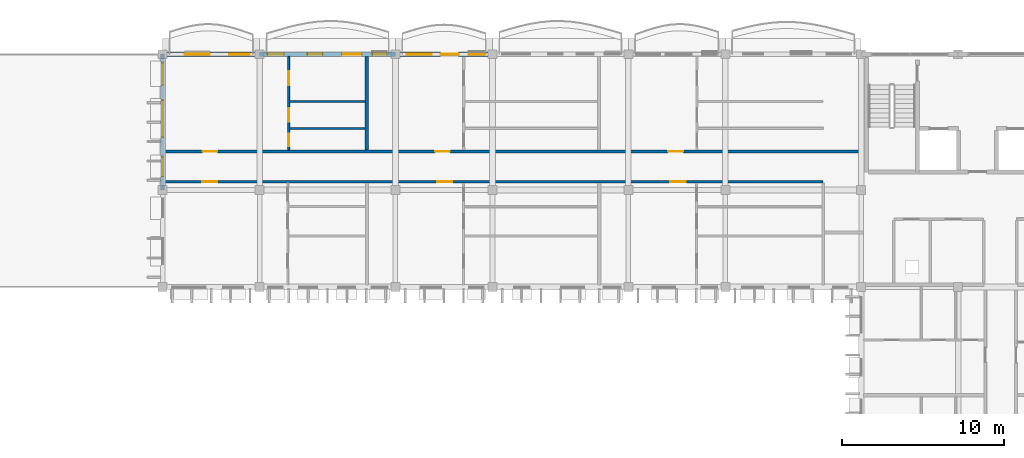
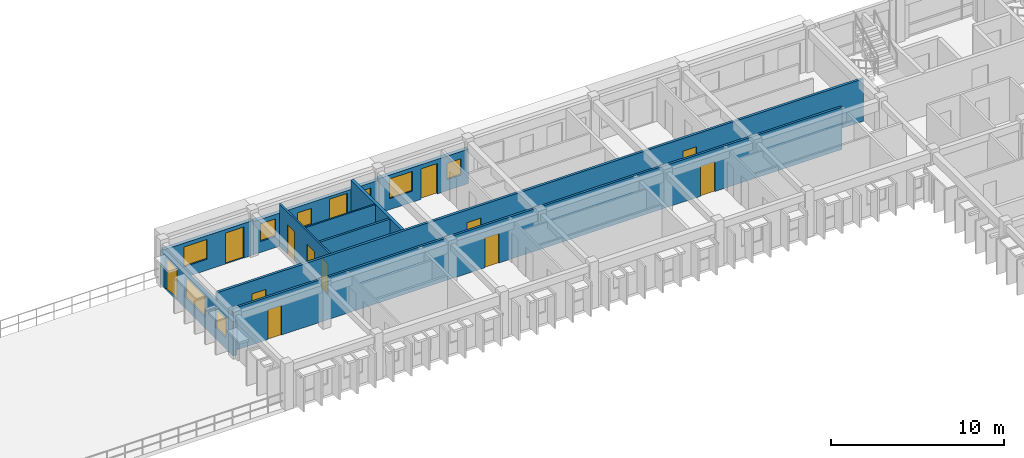
# One storey, part 22 of 45: 13 doors, 10 walls, 8 windows, 21 openings.
"""IFC4 building model written with IfcOpenShell, lengths in metres."""

from ifc_helpers import new_model, si_unit, direction, frame, frame_2d, origin, place, context, subcontext, project, spatial, rectangle, extrude, material, layer, layer_set, type_object, element, fill, save


model = new_model("IFC4")

# Units and contexts
model_context = context("Model", 3, precision=1e-05, world=origin(), true_north=direction((0.0, 1.0)))
body_context = subcontext(model_context, "Body", "Model", "MODEL_VIEW")
ifc_project = project(units=[si_unit("LENGTHUNIT", "METRE"), si_unit("AREAUNIT", "SQUARE_METRE"), si_unit("VOLUMEUNIT", "CUBIC_METRE"), si_unit("PLANEANGLEUNIT", "RADIAN"), si_unit("MASSUNIT", "GRAM", prefix="KILO"), si_unit("THERMODYNAMICTEMPERATUREUNIT", "KELVIN")], contexts=[model_context])

# Site, building, storey
site_placement = place(None, origin())
site = spatial("IfcSite", under=ifc_project, at=site_placement, CompositionType="ELEMENT")
building_placement = place(site_placement, origin())
building = spatial("IfcBuilding", under=site, at=building_placement, Name="Thalorik Housing Commons", CompositionType="ELEMENT")
storey_placement = place(building_placement, frame((0.0, 0.0, 34.5)))
storey = spatial("IfcBuildingStorey", under=building, at=storey_placement, Name="L10", CompositionType="ELEMENT", Elevation=34.5)

# Wall, openings, doors
ifc_material_1 = material(Name="Masonry fire-rated corridor wall", Category="masonry")
ifc_layer_1 = layer(ifc_material_1, 0.14990234375, Name="Masonry fire-rated corridor wall", Category="masonry")
ifc_layer_set_1 = layer_set([ifc_layer_1], Name="Masonry fire-rated corridor wall")
wall_type_1 = type_object("IfcWallType", Name="ARC-WAL-CORR-150", PredefinedType="PARTITIONING", material=ifc_layer_set_1)
wall_1_placement = place(storey_placement, frame((109.32958984375, 115.719970703125, 0.0), z_axis=(0.0, 0.0, 1.0), x_axis=(1.0, 0.0, 0.0)))
wall_1 = element("IfcWall", 1, at=wall_1_placement, inside=storey, type_object=wall_type_1, Name="L10 Block B N Corridor Wall 1", PredefinedType="PARTITIONING", context=body_context, shape_type="SweptSolid", body=[
    extrude(rectangle(XDim=40.720458984375, YDim=0.14990234375, at=frame_2d((20.3603515625, 0.0))), origin(), (0.0, 0.0, 1.0), 3.0),
])
opening_1_placement = place(wall_1_placement, frame((2.3203125, 0.0, 0.0)))
opening_1 = element("IfcOpeningElement", 2, at=opening_1_placement, cuts=wall_1, Name="Opening ID-1448", PredefinedType="OPENING", context=body_context, shape_type="SweptSolid", body=[
    extrude(rectangle(XDim=0.919921875, YDim=2.10009765625, at=frame_2d((0.4599609375, 1.050048828125))), frame((0.0, 0.0849609375, 0.0), z_axis=(0.0, -1.0, 0.0), x_axis=(1.0, 0.0, 0.0)), (0.0, 0.0, 1.0), 0.169921875),
])
opening_2_placement = place(wall_1_placement, frame((16.851318359375, 0.0, 0.0)))
opening_2 = element("IfcOpeningElement", 3, at=opening_2_placement, cuts=wall_1, Name="Opening ID-1449", PredefinedType="OPENING", context=body_context, shape_type="SweptSolid", body=[
    extrude(rectangle(XDim=0.919921875, YDim=2.10009765625, at=frame_2d((0.4599609375, 1.050048828125))), frame((0.0, 0.0849609375, 0.0), z_axis=(0.0, -1.0, 0.0), x_axis=(1.0, 0.0, 0.0)), (0.0, 0.0, 1.0), 0.169921875),
])
opening_3_placement = place(wall_1_placement, frame((31.257568359375, 0.0, 0.0)))
opening_3 = element("IfcOpeningElement", 4, at=opening_3_placement, cuts=wall_1, Name="Opening ID-1450", PredefinedType="OPENING", context=body_context, shape_type="SweptSolid", body=[
    extrude(rectangle(XDim=0.9599609375, YDim=2.1201171875, at=frame_2d((0.47998046875, 1.06005859375))), frame((0.0, 0.0849609375, 0.0), z_axis=(0.0, -1.0, 0.0), x_axis=(1.0, 0.0, 0.0)), (0.0, 0.0, 1.0), 0.169921875),
])
ifc_material_2 = material(Name="Solid core hardwood timber", Category="wood")
door_type_1 = type_object("IfcDoorType", Name="ARC-DR-FD30-920", OperationType="NOTDEFINED", PredefinedType="DOOR", material=ifc_material_2)
door_1_placement = place(opening_1_placement, origin())
door_1 = element("IfcDoor", 5, at=door_1_placement, inside=storey, type_object=door_type_1, Name="L10 Flat BN-1A Entrance Door", OperationType="SINGLE_SWING_LEFT", OverallHeight=2.10009765625, OverallWidth=0.919921875, PredefinedType="DOOR", context=body_context, shape_type="SweptSolid", body=[
    extrude(rectangle(XDim=0.919921875, YDim=2.10009765625, at=frame_2d((0.4599609375, 1.050048828125))), frame((0.0, 0.02490234375, 0.0), z_axis=(0.0, -1.0, 0.0), x_axis=(1.0, 0.0, 0.0)), (0.0, 0.0, 1.0), 0.050048828125),
])
fill(opening_1, door_1)
door_2_placement = place(opening_2_placement, origin())
door_2 = element("IfcDoor", 6, at=door_2_placement, inside=storey, type_object=door_type_1, Name="L10 Flat BN-2A Entrance Door", OperationType="SINGLE_SWING_RIGHT", OverallHeight=2.10009765625, OverallWidth=0.919921875, PredefinedType="DOOR", context=body_context, shape_type="SweptSolid", body=[
    extrude(rectangle(XDim=0.919921875, YDim=2.10009765625, at=frame_2d((0.4599609375, 1.050048828125))), frame((0.0, 0.02490234375, 0.0), z_axis=(0.0, -1.0, 0.0), x_axis=(1.0, 0.0, 0.0)), (0.0, 0.0, 1.0), 0.050048828125),
])
fill(opening_2, door_2)
door_type_2 = type_object("IfcDoorType", Name="ARC-DR-FD30-960", OperationType="NOTDEFINED", PredefinedType="DOOR", material=ifc_material_2)
door_3_placement = place(opening_3_placement, origin())
door_3 = element("IfcDoor", 7, at=door_3_placement, inside=storey, type_object=door_type_2, Name="L10 Flat BN-3A Entrance Door", OperationType="SINGLE_SWING_LEFT", OverallHeight=2.1201171875, OverallWidth=0.9599609375, PredefinedType="DOOR", context=body_context, shape_type="SweptSolid", body=[
    extrude(rectangle(XDim=0.9599609375, YDim=2.1201171875, at=frame_2d((0.47998046875, 1.06005859375))), frame((0.0, 0.02490234375, 0.0), z_axis=(0.0, -1.0, 0.0), x_axis=(1.0, 0.0, 0.0)), (0.0, 0.0, 1.0), 0.050048828125),
])
fill(opening_3, door_3)

ifc_layer_2 = layer(ifc_material_1, 0.1650390625, Name="Masonry fire-rated corridor wall", Category="masonry")
ifc_layer_set_2 = layer_set([ifc_layer_2], Name="Masonry fire-rated corridor wall")
wall_type_2 = type_object("IfcWallType", Name="ARC-WAL-CORR-165", PredefinedType="PARTITIONING", material=ifc_layer_set_2)
wall_2_placement = place(storey_placement, frame((109.32958984375, 117.580078125, 0.0), z_axis=(0.0, 0.0, 1.0), x_axis=(1.0, 0.0, 0.0)))
wall_2 = element("IfcWall", 8, at=wall_2_placement, inside=storey, type_object=wall_type_2, Name="L10 Block B N Corridor Wall 2", PredefinedType="PARTITIONING", context=body_context, shape_type="SweptSolid", body=[
    extrude(rectangle(XDim=43.21044921875, YDim=0.1650390625, at=frame_2d((21.605224609375, 0.0))), origin(), (0.0, 0.0, 1.0), 3.0),
])
opening_4_placement = place(wall_2_placement, frame((2.337158203125, 0.0, 0.0)))
opening_4 = element("IfcOpeningElement", 9, at=opening_4_placement, cuts=wall_2, Name="Opening ID-1451", PredefinedType="OPENING", context=body_context, shape_type="SweptSolid", body=[
    extrude(rectangle(XDim=0.919921875, YDim=2.10009765625, at=frame_2d((0.4599609375, 1.050048828125))), frame((0.0, 0.092529296875, 0.0), z_axis=(0.0, -1.0, 0.0), x_axis=(1.0, 0.0, 0.0)), (0.0, 0.0, 1.0), 0.18505859375),
])
opening_5_placement = place(wall_2_placement, frame((16.720947265625, 0.0, 0.0)))
opening_5 = element("IfcOpeningElement", 10, at=opening_5_placement, cuts=wall_2, Name="Opening ID-1452", PredefinedType="OPENING", context=body_context, shape_type="SweptSolid", body=[
    extrude(rectangle(XDim=0.919921875, YDim=2.10009765625, at=frame_2d((0.4599609375, 1.050048828125))), frame((0.0, 0.092529296875, 0.0), z_axis=(0.0, -1.0, 0.0), x_axis=(1.0, 0.0, 0.0)), (0.0, 0.0, 1.0), 0.18505859375),
])
opening_6_placement = place(wall_2_placement, frame((31.135009765625, 0.0, 0.0)))
opening_6 = element("IfcOpeningElement", 11, at=opening_6_placement, cuts=wall_2, Name="Opening ID-1453", PredefinedType="OPENING", context=body_context, shape_type="SweptSolid", body=[
    extrude(rectangle(XDim=0.919921875, YDim=2.10009765625, at=frame_2d((0.4599609375, 1.050048828125))), frame((0.0, 0.092529296875, 0.0), z_axis=(0.0, -1.0, 0.0), x_axis=(1.0, 0.0, 0.0)), (0.0, 0.0, 1.0), 0.18505859375),
])
door_4_placement = place(opening_4_placement, origin())
door_4 = element("IfcDoor", 12, at=door_4_placement, inside=storey, type_object=door_type_1, Name="L10 Flat BN-1B Entrance Door", OperationType="SINGLE_SWING_RIGHT", OverallHeight=2.10009765625, OverallWidth=0.919921875, PredefinedType="DOOR", context=body_context, shape_type="SweptSolid", body=[
    extrude(rectangle(XDim=0.919921875, YDim=2.10009765625, at=frame_2d((0.4599609375, 1.050048828125))), frame((0.0, 0.02490234375, 0.0), z_axis=(0.0, -1.0, 0.0), x_axis=(1.0, 0.0, 0.0)), (0.0, 0.0, 1.0), 0.050048828125),
])
fill(opening_4, door_4)
door_5_placement = place(opening_5_placement, origin())
door_5 = element("IfcDoor", 13, at=door_5_placement, inside=storey, type_object=door_type_1, Name="L10 Flat BN-2B Entrance Door", OperationType="SINGLE_SWING_LEFT", OverallHeight=2.10009765625, OverallWidth=0.919921875, PredefinedType="DOOR", context=body_context, shape_type="SweptSolid", body=[
    extrude(rectangle(XDim=0.919921875, YDim=2.10009765625, at=frame_2d((0.4599609375, 1.050048828125))), frame((0.0, 0.02490234375, 0.0), z_axis=(0.0, -1.0, 0.0), x_axis=(1.0, 0.0, 0.0)), (0.0, 0.0, 1.0), 0.050048828125),
])
fill(opening_5, door_5)
door_6_placement = place(opening_6_placement, origin())
door_6 = element("IfcDoor", 14, at=door_6_placement, inside=storey, type_object=door_type_1, Name="L10 Flat BN-3B Entrance Door", OperationType="SINGLE_SWING_RIGHT", OverallHeight=2.10009765625, OverallWidth=0.919921875, PredefinedType="DOOR", context=body_context, shape_type="SweptSolid", body=[
    extrude(rectangle(XDim=0.919921875, YDim=2.10009765625, at=frame_2d((0.4599609375, 1.050048828125))), frame((0.0, 0.02490234375, 0.0), z_axis=(0.0, -1.0, 0.0), x_axis=(1.0, 0.0, 0.0)), (0.0, 0.0, 1.0), 0.050048828125),
])
fill(opening_6, door_6)

# Wall, openings, door, windows
ifc_material_3 = material(Name="White precast concrete C40/50", Category="concrete")
ifc_layer_3 = layer(ifc_material_3, 0.2548828125, Name="White precast concrete C40/50", Category="concrete")
ifc_layer_set_3 = layer_set([ifc_layer_3], Name="White precast concrete C40/50")
wall_type_3 = type_object("IfcWallType", Name="ARC-WAL-EXT-255", PredefinedType="STANDARD", material=ifc_layer_set_3)
wall_3_placement = place(storey_placement, frame((129.60009765625, 123.60009765625, 0.0), z_axis=(0.0, 0.0, 1.0), x_axis=(-1.0, 0.0, 0.0)))
wall_3 = element("IfcWall", 15, at=wall_3_placement, inside=storey, type_object=wall_type_3, Name="L10 Exterior Wall WAL-EXT-L10-B-0750", PredefinedType="STANDARD", context=body_context, shape_type="SweptSolid", body=[
    extrude(rectangle(XDim=6.0, YDim=0.2548828125, at=frame_2d((3.0, 0.0))), origin(), (0.0, 0.0, 1.0), 2.445068359375),
])
opening_7_placement = place(wall_3_placement, frame((2.102294921875, 0.0, 0.0)))
opening_7 = element("IfcOpeningElement", 16, at=opening_7_placement, cuts=wall_3, Name="Opening ED-0253", PredefinedType="OPENING", context=body_context, shape_type="SweptSolid", body=[
    extrude(rectangle(XDim=1.10009765625, YDim=2.14990234375, at=frame_2d((0.550048828125, 1.074951171875))), frame((0.0, 0.137451171875, 0.0), z_axis=(0.0, -1.0, 0.0), x_axis=(1.0, 0.0, 0.0)), (0.0, 0.0, 1.0), 0.27490234375),
])
opening_8_placement = place(wall_3_placement, frame((0.506103515625, 0.0, 0.780029296875)))
opening_8 = element("IfcOpeningElement", 17, at=opening_8_placement, cuts=wall_3, Name="Opening W-43", PredefinedType="OPENING", context=body_context, shape_type="SweptSolid", body=[
    extrude(rectangle(XDim=0.949951171875, YDim=1.14990234375, at=frame_2d((0.47509765625, 0.574951171875))), frame((0.0, 0.137451171875, 0.0), z_axis=(0.0, -1.0, 0.0), x_axis=(1.0, 0.0, 0.0)), (0.0, 0.0, 1.0), 0.27490234375),
])
opening_9_placement = place(wall_3_placement, frame((3.756103515625, 0.0, 0.780029296875)))
opening_9 = element("IfcOpeningElement", 18, at=opening_9_placement, cuts=wall_3, Name="Opening W-12", PredefinedType="OPENING", context=body_context, shape_type="SweptSolid", body=[
    extrude(rectangle(XDim=1.550048828125, YDim=1.39990234375, at=frame_2d((0.77490234375, 0.699951171875))), frame((0.0, 0.137451171875, 0.0), z_axis=(0.0, -1.0, 0.0), x_axis=(1.0, 0.0, 0.0)), (0.0, 0.0, 1.0), 0.27490234375),
])
ifc_material_4 = material(Name="Anodised aluminium and laminated safety glass", Category="aluminium")
door_type_3 = type_object("IfcDoorType", Name="ARC-DR-BAL-1100", OperationType="NOTDEFINED", PredefinedType="DOOR", material=ifc_material_4)
door_7_placement = place(opening_7_placement, frame((1.10009765625, 0.0, 0.0), z_axis=(0.0, 0.0, 1.0), x_axis=(-1.0, 0.0, 0.0)))
door_7 = element("IfcDoor", 19, at=door_7_placement, inside=storey, type_object=door_type_3, Name="L10 Block B Balcony Glazed Door", OperationType="SINGLE_SWING_RIGHT", OverallHeight=2.14990234375, OverallWidth=1.10009765625, PredefinedType="DOOR", context=body_context, shape_type="SweptSolid", body=[
    extrude(rectangle(XDim=1.10009765625, YDim=2.14990234375, at=frame_2d((0.550048828125, 1.074951171875))), frame((0.0, 0.02490234375, 0.0), z_axis=(0.0, -1.0, 0.0), x_axis=(1.0, 0.0, 0.0)), (0.0, 0.0, 1.0), 0.050048828125),
])
fill(opening_7, door_7)
ifc_material_5 = material(Name="Anodised aluminium and solar-control low-E glass", Category="aluminium")
window_type_1 = type_object("IfcWindowType", Name="ARC-WIN-12", PartitioningType="SINGLE_PANEL", PredefinedType="WINDOW", material=ifc_material_5)
window_1_placement = place(opening_9_placement, origin())
window_1 = element("IfcWindow", 20, at=window_1_placement, inside=storey, type_object=window_type_1, Name="L10 Facade Window 1377", OverallHeight=1.39990234375, OverallWidth=1.550048828125, PartitioningType="SINGLE_PANEL", PredefinedType="WINDOW", context=body_context, shape_type="SweptSolid", body=[
    extrude(rectangle(XDim=1.550048828125, YDim=1.39990234375, at=frame_2d((0.77490234375, 0.699951171875))), frame((0.0, 0.030029296875, 0.0), z_axis=(0.0, -1.0, 0.0), x_axis=(1.0, 0.0, 0.0)), (0.0, 0.0, 1.0), 0.06005859375),
])
fill(opening_9, window_1)
window_type_2 = type_object("IfcWindowType", Name="ARC-WIN-43", PartitioningType="SINGLE_PANEL", PredefinedType="WINDOW", material=ifc_material_5)
window_2_placement = place(opening_8_placement, origin())
window_2 = element("IfcWindow", 21, at=window_2_placement, inside=storey, type_object=window_type_2, Name="L10 Facade Window 1376", OverallHeight=1.14990234375, OverallWidth=0.949951171875, PartitioningType="SINGLE_PANEL", PredefinedType="WINDOW", context=body_context, shape_type="SweptSolid", body=[
    extrude(rectangle(XDim=0.949951171875, YDim=1.14990234375, at=frame_2d((0.47509765625, 0.574951171875))), frame((0.0, 0.030029296875, 0.0), z_axis=(0.0, -1.0, 0.0), x_axis=(1.0, 0.0, 0.0)), (0.0, 0.0, 1.0), 0.06005859375),
])
fill(opening_8, window_2)

wall_4_placement = place(storey_placement, frame((123.60009765625, 123.60009765625, 0.0), z_axis=(0.0, 0.0, 1.0), x_axis=(-1.0, 0.0, 0.0)))
wall_4 = element("IfcWall", 22, at=wall_4_placement, inside=storey, type_object=wall_type_3, Name="L10 Exterior Wall WAL-EXT-L10-B-0751", PredefinedType="STANDARD", context=body_context, shape_type="SweptSolid", body=[
    extrude(rectangle(XDim=8.400146484375, YDim=0.2548828125, at=frame_2d((4.2001953125, 0.0))), origin(), (0.0, 0.0, 1.0), 2.344970703125),
])
opening_10_placement = place(wall_4_placement, frame((2.10009765625, 0.0, 0.0)))
opening_10 = element("IfcOpeningElement", 23, at=opening_10_placement, cuts=wall_4, Name="Opening ED-0254", PredefinedType="OPENING", context=body_context, shape_type="SweptSolid", body=[
    extrude(rectangle(XDim=1.199951171875, YDim=2.14990234375, at=frame_2d((0.60009765625, 1.074951171875))), frame((0.0, 0.137451171875, 0.0), z_axis=(0.0, -1.0, 0.0), x_axis=(1.0, 0.0, 0.0)), (0.0, 0.0, 1.0), 0.27490234375),
])
opening_11_placement = place(wall_4_placement, frame((0.530029296875, 0.0, 0.780029296875)))
opening_11 = element("IfcOpeningElement", 24, at=opening_11_placement, cuts=wall_4, Name="Opening W-01", PredefinedType="OPENING", context=body_context, shape_type="SweptSolid", body=[
    extrude(rectangle(XDim=0.89990234375, YDim=1.199951171875, at=frame_2d((0.449951171875, 0.60009765625))), frame((0.0, 0.137451171875, 0.0), z_axis=(0.0, -1.0, 0.0), x_axis=(1.0, 0.0, 0.0)), (0.0, 0.0, 1.0), 0.27490234375),
])
opening_12_placement = place(wall_4_placement, frame((4.503173828125, 0.0, 0.780029296875)))
opening_12 = element("IfcOpeningElement", 25, at=opening_12_placement, cuts=wall_4, Name="Opening W-43", PredefinedType="OPENING", context=body_context, shape_type="SweptSolid", body=[
    extrude(rectangle(XDim=0.949951171875, YDim=1.14990234375, at=frame_2d((0.47509765625, 0.574951171875))), frame((0.0, 0.137451171875, 0.0), z_axis=(0.0, -1.0, 0.0), x_axis=(1.0, 0.0, 0.0)), (0.0, 0.0, 1.0), 0.27490234375),
])
opening_13_placement = place(wall_4_placement, frame((6.908203125, 0.0, 0.780029296875)))
opening_13 = element("IfcOpeningElement", 26, at=opening_13_placement, cuts=wall_4, Name="Opening W-02", PredefinedType="OPENING", context=body_context, shape_type="SweptSolid", body=[
    extrude(rectangle(XDim=1.0, YDim=1.25, at=frame_2d((0.5, 0.625))), frame((0.0, 0.137451171875, 0.0), z_axis=(0.0, -1.0, 0.0), x_axis=(1.0, 0.0, 0.0)), (0.0, 0.0, 1.0), 0.27490234375),
])
door_type_4 = type_object("IfcDoorType", Name="ARC-DR-BAL-1200", OperationType="NOTDEFINED", PredefinedType="DOOR", material=ifc_material_4)
door_8_placement = place(opening_10_placement, frame((1.199951171875, 0.0, 0.0), z_axis=(0.0, 0.0, 1.0), x_axis=(-1.0, 0.0, 0.0)))
door_8 = element("IfcDoor", 27, at=door_8_placement, inside=storey, type_object=door_type_4, Name="L10 Block B Balcony Glazed Door", OperationType="SINGLE_SWING_LEFT", OverallHeight=2.14990234375, OverallWidth=1.199951171875, PredefinedType="DOOR", context=body_context, shape_type="SweptSolid", body=[
    extrude(rectangle(XDim=1.199951171875, YDim=2.14990234375, at=frame_2d((0.60009765625, 1.074951171875))), frame((0.0, 0.02490234375, 0.0), z_axis=(0.0, -1.0, 0.0), x_axis=(1.0, 0.0, 0.0)), (0.0, 0.0, 1.0), 0.050048828125),
])
fill(opening_10, door_8)
window_type_3 = type_object("IfcWindowType", Name="ARC-WIN-01", PartitioningType="SINGLE_PANEL", PredefinedType="WINDOW", material=ifc_material_5)
window_3_placement = place(opening_11_placement, origin())
window_3 = element("IfcWindow", 28, at=window_3_placement, inside=storey, type_object=window_type_3, Name="L10 Facade Window 1378", OverallHeight=1.199951171875, OverallWidth=0.89990234375, PartitioningType="SINGLE_PANEL", PredefinedType="WINDOW", context=body_context, shape_type="SweptSolid", body=[
    extrude(rectangle(XDim=0.89990234375, YDim=1.199951171875, at=frame_2d((0.449951171875, 0.60009765625))), frame((0.0, 0.030029296875, 0.0), z_axis=(0.0, -1.0, 0.0), x_axis=(1.0, 0.0, 0.0)), (0.0, 0.0, 1.0), 0.06005859375),
])
fill(opening_11, window_3)
window_type_4 = type_object("IfcWindowType", Name="ARC-WIN-02", PartitioningType="SINGLE_PANEL", PredefinedType="WINDOW", material=ifc_material_5)
window_4_placement = place(opening_13_placement, origin())
window_4 = element("IfcWindow", 29, at=window_4_placement, inside=storey, type_object=window_type_4, Name="L10 Facade Window 1380", OverallHeight=1.25, OverallWidth=1.0, PartitioningType="SINGLE_PANEL", PredefinedType="WINDOW", context=body_context, shape_type="SweptSolid", body=[
    extrude(rectangle(XDim=1.0, YDim=1.25, at=frame_2d((0.5, 0.625))), frame((0.0, 0.030029296875, 0.0), z_axis=(0.0, -1.0, 0.0), x_axis=(1.0, 0.0, 0.0)), (0.0, 0.0, 1.0), 0.06005859375),
])
fill(opening_13, window_4)
window_5_placement = place(opening_12_placement, origin())
window_5 = element("IfcWindow", 30, at=window_5_placement, inside=storey, type_object=window_type_2, Name="L10 Facade Window 1379", OverallHeight=1.14990234375, OverallWidth=0.949951171875, PartitioningType="SINGLE_PANEL", PredefinedType="WINDOW", context=body_context, shape_type="SweptSolid", body=[
    extrude(rectangle(XDim=0.949951171875, YDim=1.14990234375, at=frame_2d((0.47509765625, 0.574951171875))), frame((0.0, 0.030029296875, 0.0), z_axis=(0.0, -1.0, 0.0), x_axis=(1.0, 0.0, 0.0)), (0.0, 0.0, 1.0), 0.06005859375),
])
fill(opening_12, window_5)

# Wall, openings, door, window
wall_5_placement = place(storey_placement, frame((115.199951171875, 123.60009765625, 0.0), z_axis=(0.0, 0.0, 1.0), x_axis=(-1.0, 0.0, 0.0)))
wall_5 = element("IfcWall", 31, at=wall_5_placement, inside=storey, type_object=wall_type_3, Name="L10 Exterior Wall WAL-EXT-L10-B-0752", PredefinedType="STANDARD", context=body_context, shape_type="SweptSolid", body=[
    extrude(rectangle(XDim=6.0, YDim=0.2548828125, at=frame_2d((3.0, 0.0))), origin(), (0.0, 0.0, 1.0), 2.445068359375),
])
opening_14_placement = place(wall_5_placement, frame((0.6201171875, 0.0, 0.0)))
opening_14 = element("IfcOpeningElement", 32, at=opening_14_placement, cuts=wall_5, Name="Opening ED-0255", PredefinedType="OPENING", context=body_context, shape_type="SweptSolid", body=[
    extrude(rectangle(XDim=1.25, YDim=2.199951171875, at=frame_2d((0.625, 1.10009765625))), frame((0.0, 0.137451171875, 0.0), z_axis=(0.0, -1.0, 0.0), x_axis=(1.0, 0.0, 0.0)), (0.0, 0.0, 1.0), 0.27490234375),
])
opening_15_placement = place(wall_5_placement, frame((3.090087890625, 0.0, 0.780029296875)))
opening_15 = element("IfcOpeningElement", 33, at=opening_15_placement, cuts=wall_5, Name="Opening W-12", PredefinedType="OPENING", context=body_context, shape_type="SweptSolid", body=[
    extrude(rectangle(XDim=1.550048828125, YDim=1.39990234375, at=frame_2d((0.77490234375, 0.699951171875))), frame((0.0, 0.137451171875, 0.0), z_axis=(0.0, -1.0, 0.0), x_axis=(1.0, 0.0, 0.0)), (0.0, 0.0, 1.0), 0.27490234375),
])
door_type_5 = type_object("IfcDoorType", Name="ARC-DR-BAL-1250", OperationType="NOTDEFINED", PredefinedType="DOOR", material=ifc_material_4)
door_9_placement = place(opening_14_placement, frame((1.25, 0.0, 0.0), z_axis=(0.0, 0.0, 1.0), x_axis=(-1.0, 0.0, 0.0)))
door_9 = element("IfcDoor", 34, at=door_9_placement, inside=storey, type_object=door_type_5, Name="L10 Block B Balcony Glazed Door", OperationType="SINGLE_SWING_RIGHT", OverallHeight=2.199951171875, OverallWidth=1.25, PredefinedType="DOOR", context=body_context, shape_type="SweptSolid", body=[
    extrude(rectangle(XDim=1.25, YDim=2.199951171875, at=frame_2d((0.625, 1.10009765625))), frame((0.0, 0.02490234375, 0.0), z_axis=(0.0, -1.0, 0.0), x_axis=(1.0, 0.0, 0.0)), (0.0, 0.0, 1.0), 0.050048828125),
])
fill(opening_14, door_9)
window_6_placement = place(opening_15_placement, origin())
window_6 = element("IfcWindow", 35, at=window_6_placement, inside=storey, type_object=window_type_1, Name="L10 Facade Window 1381", OverallHeight=1.39990234375, OverallWidth=1.550048828125, PartitioningType="SINGLE_PANEL", PredefinedType="WINDOW", context=body_context, shape_type="SweptSolid", body=[
    extrude(rectangle(XDim=1.550048828125, YDim=1.39990234375, at=frame_2d((0.77490234375, 0.699951171875))), frame((0.0, 0.030029296875, 0.0), z_axis=(0.0, -1.0, 0.0), x_axis=(1.0, 0.0, 0.0)), (0.0, 0.0, 1.0), 0.06005859375),
])
fill(opening_15, window_6)

# Wall, openings, door, windows
wall_6_placement = place(storey_placement, frame((109.199951171875, 123.60009765625, 0.0), z_axis=(0.0, 0.0, 1.0), x_axis=(0.0, -1.0, 0.0)))
wall_6 = element("IfcWall", 36, at=wall_6_placement, inside=storey, type_object=wall_type_3, Name="L10 Exterior Wall WAL-EXT-L10-B-0753", PredefinedType="STANDARD", context=body_context, shape_type="SweptSolid", body=[
    extrude(rectangle(XDim=8.400146484375, YDim=0.2548828125, at=frame_2d((4.2001953125, 0.0))), origin(), (0.0, 0.0, 1.0), 2.425048828125),
])
opening_16_placement = place(wall_6_placement, frame((0.5400390625, 0.0, 0.0)))
opening_16 = element("IfcOpeningElement", 37, at=opening_16_placement, cuts=wall_6, Name="Opening ED-0256", PredefinedType="OPENING", context=body_context, shape_type="SweptSolid", body=[
    extrude(rectangle(XDim=1.35009765625, YDim=2.199951171875, at=frame_2d((0.675048828125, 1.10009765625))), frame((0.0, 0.137451171875, 0.0), z_axis=(0.0, -1.0, 0.0), x_axis=(1.0, 0.0, 0.0)), (0.0, 0.0, 1.0), 0.27490234375),
])
opening_17_placement = place(wall_6_placement, frame((2.85009765625, 0.0, 0.780029296875)))
opening_17 = element("IfcOpeningElement", 38, at=opening_17_placement, cuts=wall_6, Name="Opening W-67", PredefinedType="OPENING", context=body_context, shape_type="SweptSolid", body=[
    extrude(rectangle(XDim=2.280029296875, YDim=1.4599609375, at=frame_2d((1.14013671875, 0.72998046875))), frame((0.0, 0.137451171875, 0.0), z_axis=(0.0, -1.0, 0.0), x_axis=(1.0, 0.0, 0.0)), (0.0, 0.0, 1.0), 0.27490234375),
])
opening_18_placement = place(wall_6_placement, frame((6.35009765625, 0.0, 0.780029296875)))
opening_18 = element("IfcOpeningElement", 39, at=opening_18_placement, cuts=wall_6, Name="Opening W-04", PredefinedType="OPENING", context=body_context, shape_type="SweptSolid", body=[
    extrude(rectangle(XDim=1.199951171875, YDim=1.35009765625, at=frame_2d((0.60009765625, 0.675048828125))), frame((0.0, 0.137451171875, 0.0), z_axis=(0.0, -1.0, 0.0), x_axis=(1.0, 0.0, 0.0)), (0.0, 0.0, 1.0), 0.27490234375),
])
door_type_6 = type_object("IfcDoorType", Name="ARC-DR-TERR-1350", OperationType="NOTDEFINED", PredefinedType="DOOR", material=ifc_material_4)
door_10_placement = place(opening_16_placement, frame((1.35009765625, 0.0, 0.0), z_axis=(0.0, 0.0, 1.0), x_axis=(-1.0, 0.0, 0.0)))
door_10 = element("IfcDoor", 40, at=door_10_placement, inside=storey, type_object=door_type_6, Name="L10 Block B L10 West Sky-Garden Terrace Access Door", OperationType="SINGLE_SWING_LEFT", OverallHeight=2.199951171875, OverallWidth=1.35009765625, PredefinedType="DOOR", context=body_context, shape_type="SweptSolid", body=[
    extrude(rectangle(XDim=1.35009765625, YDim=2.199951171875, at=frame_2d((0.675048828125, 1.10009765625))), frame((0.0, 0.02490234375, 0.0), z_axis=(0.0, -1.0, 0.0), x_axis=(1.0, 0.0, 0.0)), (0.0, 0.0, 1.0), 0.050048828125),
])
fill(opening_16, door_10)
window_type_5 = type_object("IfcWindowType", Name="ARC-WIN-04", PartitioningType="SINGLE_PANEL", PredefinedType="WINDOW", material=ifc_material_5)
window_7_placement = place(opening_18_placement, origin())
window_7 = element("IfcWindow", 41, at=window_7_placement, inside=storey, type_object=window_type_5, Name="L10 Facade Window 1383", OverallHeight=1.35009765625, OverallWidth=1.199951171875, PartitioningType="SINGLE_PANEL", PredefinedType="WINDOW", context=body_context, shape_type="SweptSolid", body=[
    extrude(rectangle(XDim=1.199951171875, YDim=1.35009765625, at=frame_2d((0.60009765625, 0.675048828125))), frame((0.0, 0.030029296875, 0.0), z_axis=(0.0, -1.0, 0.0), x_axis=(1.0, 0.0, 0.0)), (0.0, 0.0, 1.0), 0.06005859375),
])
fill(opening_18, window_7)
window_type_6 = type_object("IfcWindowType", Name="ARC-WIN-67", PartitioningType="DOUBLE_PANEL_VERTICAL", PredefinedType="WINDOW", material=ifc_material_5)
window_8_placement = place(opening_17_placement, origin())
window_8 = element("IfcWindow", 42, at=window_8_placement, inside=storey, type_object=window_type_6, Name="L10 Facade Window 1382", OverallHeight=1.4599609375, OverallWidth=2.280029296875, PartitioningType="DOUBLE_PANEL_VERTICAL", PredefinedType="WINDOW", context=body_context, shape_type="SweptSolid", body=[
    extrude(rectangle(XDim=2.280029296875, YDim=1.4599609375, at=frame_2d((1.14013671875, 0.72998046875))), frame((0.0, 0.030029296875, 0.0), z_axis=(0.0, -1.0, 0.0), x_axis=(1.0, 0.0, 0.0)), (0.0, 0.0, 1.0), 0.06005859375),
])
fill(opening_17, window_8)

# Wall
ifc_material_6 = material(Name="Gypsum light stud partition", Category="masonry")
ifc_layer_4 = layer(ifc_material_6, 0.10009765625, Name="Gypsum light stud partition", Category="masonry")
ifc_layer_set_4 = layer_set([ifc_layer_4], Name="Gypsum light stud partition")
wall_type_4 = type_object("IfcWallType", Name="ARC-WAL-PART-100", PredefinedType="PARTITIONING", material=ifc_layer_set_4)
wall_7_placement = place(storey_placement, frame((117.052978515625, 120.67919921875, 0.0), z_axis=(0.0, 0.0, 1.0), x_axis=(1.0, 0.0, 0.0)))
element("IfcWall", 43, at=wall_7_placement, inside=storey, type_object=wall_type_4, Name="L10 Unit 1B Bedroom Partition", PredefinedType="PARTITIONING", context=body_context, shape_type="SweptSolid", body=[
    extrude(rectangle(XDim=4.675048828125, YDim=0.10009765625, at=frame_2d((2.33740234375, 0.0))), origin(), (0.0, 0.0, 1.0), 3.0),
])

# Wall, openings, doors
ifc_material_7 = material(Name="Gypsum moisture-resistant partition", Category="masonry")
ifc_layer_5 = layer(ifc_material_7, 0.114990234375, Name="Gypsum moisture-resistant partition", Category="masonry")
ifc_layer_set_5 = layer_set([ifc_layer_5], Name="Gypsum moisture-resistant partition")
wall_type_5 = type_object("IfcWallType", Name="ARC-WAL-PART-115", PredefinedType="PARTITIONING", material=ifc_layer_set_5)
wall_8_placement = place(storey_placement, frame((116.99365234375, 117.66455078125, 0.0), z_axis=(0.0, 0.0, 1.0), x_axis=(0.0, 1.0, 0.0)))
wall_8 = element("IfcWall", 44, at=wall_8_placement, inside=storey, type_object=wall_type_5, Name="L10 Unit 1B Spine Partition", PredefinedType="PARTITIONING", context=body_context, shape_type="SweptSolid", body=[
    extrude(rectangle(XDim=5.805908203125, YDim=0.114990234375, at=frame_2d((2.90283203125, 0.0))), origin(), (0.0, 0.0, 1.0), 3.0),
])
opening_19_placement = place(wall_8_placement, frame((0.230712890625, 0.0, 0.0)))
opening_19 = element("IfcOpeningElement", 45, at=opening_19_placement, cuts=wall_8, Name="Opening ID-1433", PredefinedType="OPENING", context=body_context, shape_type="SweptSolid", body=[
    extrude(rectangle(XDim=0.800048828125, YDim=2.10009765625, at=frame_2d((0.39990234375, 1.050048828125))), frame((0.0, 0.0673828125, 0.0), z_axis=(0.0, -1.0, 0.0), x_axis=(1.0, 0.0, 0.0)), (0.0, 0.0, 1.0), 0.135009765625),
])
opening_20_placement = place(wall_8_placement, frame((1.75537109375, 0.0, 0.0)))
opening_20 = element("IfcOpeningElement", 46, at=opening_20_placement, cuts=wall_8, Name="Opening ID-1434", PredefinedType="OPENING", context=body_context, shape_type="SweptSolid", body=[
    extrude(rectangle(XDim=0.85009765625, YDim=2.10009765625, at=frame_2d((0.425048828125, 1.050048828125))), frame((0.0, 0.0673828125, 0.0), z_axis=(0.0, -1.0, 0.0), x_axis=(1.0, 0.0, 0.0)), (0.0, 0.0, 1.0), 0.135009765625),
])
opening_21_placement = place(wall_8_placement, frame((4.02001953125, 0.0, 0.0)))
opening_21 = element("IfcOpeningElement", 47, at=opening_21_placement, cuts=wall_8, Name="Opening ID-1435", PredefinedType="OPENING", context=body_context, shape_type="SweptSolid", body=[
    extrude(rectangle(XDim=0.85009765625, YDim=2.10009765625, at=frame_2d((0.425048828125, 1.050048828125))), frame((0.0, 0.0673828125, 0.0), z_axis=(0.0, -1.0, 0.0), x_axis=(1.0, 0.0, 0.0)), (0.0, 0.0, 1.0), 0.135009765625),
])
ifc_material_8 = material(Name="Moisture-resistant timber", Category="wood")
door_type_7 = type_object("IfcDoorType", Name="ARC-DR-INT-800", OperationType="NOTDEFINED", PredefinedType="DOOR", material=ifc_material_8)
door_11_placement = place(opening_19_placement, origin())
door_11 = element("IfcDoor", 48, at=door_11_placement, inside=storey, type_object=door_type_7, Name="L10 Flat Bathroom Door", OperationType="SINGLE_SWING_RIGHT", OverallHeight=2.10009765625, OverallWidth=0.800048828125, PredefinedType="DOOR", context=body_context, shape_type="SweptSolid", body=[
    extrude(rectangle(XDim=0.800048828125, YDim=2.10009765625, at=frame_2d((0.39990234375, 1.050048828125))), frame((0.0, 0.02490234375, 0.0), z_axis=(0.0, -1.0, 0.0), x_axis=(1.0, 0.0, 0.0)), (0.0, 0.0, 1.0), 0.050048828125),
])
fill(opening_19, door_11)
ifc_material_9 = material(Name="Engineered oak timber", Category="wood")
door_type_8 = type_object("IfcDoorType", Name="ARC-DR-INT-850", OperationType="NOTDEFINED", PredefinedType="DOOR", material=ifc_material_9)
door_12_placement = place(opening_20_placement, origin())
door_12 = element("IfcDoor", 49, at=door_12_placement, inside=storey, type_object=door_type_8, Name="L10 Galley Kitchen Door", OperationType="SINGLE_SWING_LEFT", OverallHeight=2.10009765625, OverallWidth=0.85009765625, PredefinedType="DOOR", context=body_context, shape_type="SweptSolid", body=[
    extrude(rectangle(XDim=0.85009765625, YDim=2.10009765625, at=frame_2d((0.425048828125, 1.050048828125))), frame((0.0, 0.02490234375, 0.0), z_axis=(0.0, -1.0, 0.0), x_axis=(1.0, 0.0, 0.0)), (0.0, 0.0, 1.0), 0.050048828125),
])
fill(opening_20, door_12)
door_13_placement = place(opening_21_placement, origin())
door_13 = element("IfcDoor", 50, at=door_13_placement, inside=storey, type_object=door_type_8, Name="L10 Double Bedroom Door", OperationType="SINGLE_SWING_RIGHT", OverallHeight=2.10009765625, OverallWidth=0.85009765625, PredefinedType="DOOR", context=body_context, shape_type="SweptSolid", body=[
    extrude(rectangle(XDim=0.85009765625, YDim=2.10009765625, at=frame_2d((0.425048828125, 1.050048828125))), frame((0.0, 0.02490234375, 0.0), z_axis=(0.0, -1.0, 0.0), x_axis=(1.0, 0.0, 0.0)), (0.0, 0.0, 1.0), 0.050048828125),
])
fill(opening_21, door_13)

# Walls
ifc_material_10 = material(Name="Ceramic masonry partition wall", Category="masonry")
ifc_layer_6 = layer(ifc_material_10, 0.139892578125, Name="Ceramic masonry partition wall", Category="masonry")
ifc_layer_set_6 = layer_set([ifc_layer_6], Name="Ceramic masonry partition wall")
wall_type_6 = type_object("IfcWallType", Name="ARC-WAL-PART-140", PredefinedType="PARTITIONING", material=ifc_layer_set_6)
wall_9_placement = place(storey_placement, frame((117.052978515625, 119.010498046875, 0.0), z_axis=(0.0, 0.0, 1.0), x_axis=(1.0, 0.0, 0.0)))
element("IfcWall", 51, at=wall_9_placement, inside=storey, type_object=wall_type_6, Name="L10 Unit 1B Wet Wall", PredefinedType="PARTITIONING", context=body_context, shape_type="SweptSolid", body=[
    extrude(rectangle(XDim=4.675048828125, YDim=0.139892578125, at=frame_2d((2.33740234375, 0.0))), origin(), (0.0, 0.0, 1.0), 3.0),
])
ifc_material_11 = material(Name="Precast concrete C40/50 acoustic wall", Category="concrete")
ifc_layer_7 = layer(ifc_material_11, 0.199951171875, Name="Precast concrete C40/50 acoustic wall", Category="concrete")
ifc_layer_set_7 = layer_set([ifc_layer_7], Name="Precast concrete C40/50 acoustic wall")
wall_type_7 = type_object("IfcWallType", Name="ARC-WAL-PARTY-200", PredefinedType="PARTITIONING", material=ifc_layer_set_7)
wall_10_placement = place(storey_placement, frame((121.830078125, 117.66455078125, 0.0), z_axis=(0.0, 0.0, 1.0), x_axis=(0.0, 1.0, 0.0)))
element("IfcWall", 52, at=wall_10_placement, inside=storey, type_object=wall_type_7, Name="L10 Inter-Tenancy Wall 1B", PredefinedType="PARTITIONING", context=body_context, shape_type="SweptSolid", body=[
    extrude(rectangle(XDim=5.805908203125, YDim=0.199951171875, at=frame_2d((2.90283203125, 0.0))), origin(), (0.0, 0.0, 1.0), 3.0),
])

save(model, "model.ifc")
